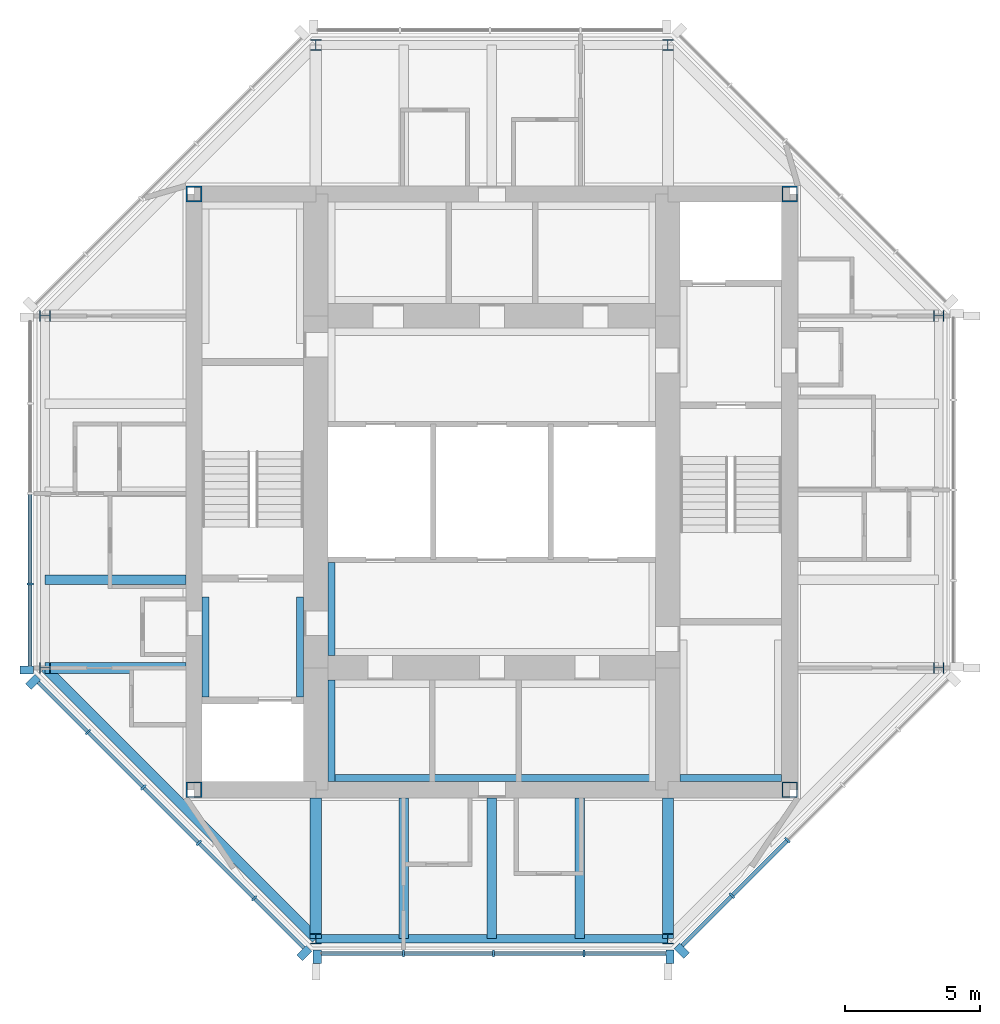
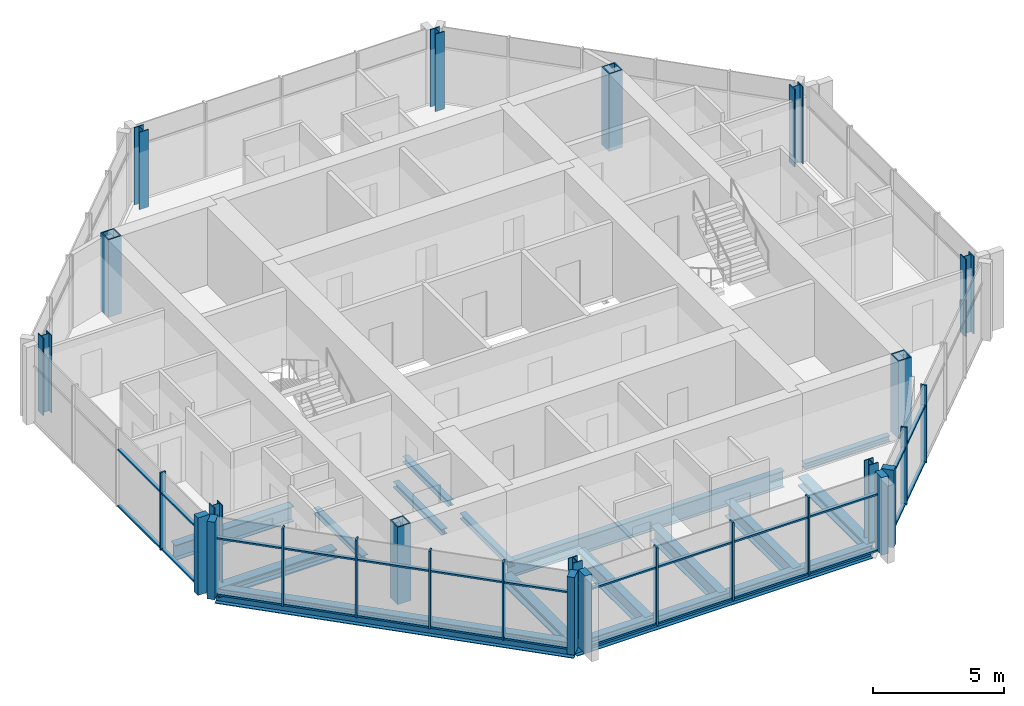
# One storey, part 1 of 9: 42 members, 15 beams, 12 columns, 4 elements without a shape of their own.
"""IFC4 building model written with IfcOpenShell, lengths in metres."""

from ifc_helpers import new_model, si_unit, direction, frame, origin, origin_2d, place, context, subcontext, project, spatial, rectangle, hollow_rectangle, i_section, extrude, material, material_profile, profile_set, type_object, element, aggregate, save


model = new_model("IFC4")

# Units and contexts
model_context = context("Model", 3, precision=1e-05, world=origin(), true_north=direction((0.0, 1.0)))
body_context = subcontext(model_context, "Body", "Model", "MODEL_VIEW")
ifc_project = project(units=[si_unit("LENGTHUNIT", "METRE"), si_unit("AREAUNIT", "SQUARE_METRE"), si_unit("VOLUMEUNIT", "CUBIC_METRE"), si_unit("PLANEANGLEUNIT", "RADIAN"), si_unit("MASSUNIT", "GRAM", prefix="KILO")], contexts=[model_context])

# Site, building, storey
site_placement = place(None, origin())
site = spatial("IfcSite", under=ifc_project, at=site_placement, CompositionType="ELEMENT")
building_placement = place(site_placement, origin())
building = spatial("IfcBuilding", under=site, at=building_placement, Name="Trevanion Tower", CompositionType="ELEMENT")
storey_placement = place(building_placement, frame((0.0, 0.0, 284.800048828125)))
storey = spatial("IfcBuildingStorey", under=building, at=storey_placement, Name="L70", CompositionType="ELEMENT", Elevation=284.800048828125)

# Columns
ifc_material_1 = material(Name="Steel ASTM A913 Grade 65", Category="steel")
ifc_material_profile_1 = material_profile(ifc_material_1, i_section(OverallWidth=0.4013671875, OverallDepth=0.398681640625, WebThickness=0.02490234375, FlangeThickness=0.03955078125, at=origin_2d()), Name="W14X211")
ifc_profile_set_1 = profile_set([ifc_material_profile_1], Name="Steel ASTM A913 Grade 65")
column_type_1 = type_object("IfcColumnType", Name="C6 W14X211", PredefinedType="COLUMN", material=ifc_profile_set_1)
for number, where, z_axis, x_axis, name in (
    (1, (-16.5, -6.5, 0.0), (0.0, 0.0, 1.0), (0.0, 1.0, 0.0), "C6 7/G L70"),
    (2, (-6.5, -16.5, 0.0), (0.0, 0.0, 1.0), (1.0, 0.0, 0.0), "C6 9/E L70"),
    (3, (6.5, -16.5, 0.0), (0.0, 0.0, 1.0), (1.0, 0.0, 0.0), "C6 11/E L70"),
    (4, (16.5, -6.5, 0.0), (0.0, 0.0, 1.0), (0.0, 1.0, 0.0), "C6 13/G L70"),
    (5, (16.5, 6.5, 0.0), (0.0, 0.0, 1.0), (0.0, 1.0, 0.0), "C6 13/J L70"),
    (6, (6.5, 16.5, 0.0), (0.0, 0.0, 1.0), (1.0, 0.0, 0.0), "C6 11/L L70"),
    (7, (-6.5, 16.5, 0.0), (0.0, 0.0, 1.0), (1.0, 0.0, 0.0), "C6 9/L L70"),
    (8, (-16.5, 6.5, 0.0), (0.0, 0.0, 1.0), (0.0, 1.0, 0.0), "C6 7/J L70"),
):
    element("IfcColumn", number, at=place(storey_placement, frame(where, z_axis=z_axis, x_axis=x_axis)), inside=storey, type_object=column_type_1, Name=name, PredefinedType="COLUMN", context=body_context, shape_type="SweptSolid", body=[
        extrude(i_section(OverallWidth=0.4013671875, OverallDepth=0.398681640625, WebThickness=0.02490234375, FlangeThickness=0.03955078125, at=origin_2d()), origin(), (0.0, 0.0, 1.0), 3.599853515625),
    ])
ifc_material_2 = material(Name="Steel ASTM A572 Grade 50", Category="steel")
ifc_material_profile_2 = material_profile(ifc_material_2, hollow_rectangle(XDim=0.584228515625, YDim=0.584228515625, WallThickness=0.05078125, at=origin_2d()), Name="BOX23X23X2")
ifc_profile_set_2 = profile_set([ifc_material_profile_2], Name="Steel ASTM A572 Grade 50")
column_type_2 = type_object("IfcColumnType", Name="CB1 BOX23X23X2", PredefinedType="COLUMN", material=ifc_profile_set_2)
for number, where, z_axis, x_axis, name in (
    (9, (11.0, 11.0, 0.0), (0.0, 0.0, 1.0), (1.0, 0.0, 0.0), "CB1 NE L70"),
    (10, (-11.0, 11.0, 0.0), (0.0, 0.0, 1.0), (1.0, 0.0, 0.0), "CB1 NW L70"),
    (11, (-11.0, -11.0, 0.0), (0.0, 0.0, 1.0), (1.0, 0.0, 0.0), "CB1 SW L70"),
    (12, (11.0, -11.0, 0.0), (0.0, 0.0, 1.0), (1.0, 0.0, 0.0), "CB1 SE L70"),
):
    element("IfcColumn", number, at=place(storey_placement, frame(where, z_axis=z_axis, x_axis=x_axis)), inside=storey, type_object=column_type_2, Name=name, PredefinedType="COLUMN", context=body_context, shape_type="SweptSolid", body=[
        extrude(hollow_rectangle(XDim=0.584228515625, YDim=0.584228515625, WallThickness=0.05078125, at=origin_2d()), origin(), (0.0, 0.0, 1.0), 3.599853515625),
    ])

# Beams
ifc_material_3 = material(Name="Steel ASTM A992 Grade 50", Category="steel")
ifc_material_profile_3 = material_profile(ifc_material_3, i_section(OverallWidth=0.355712890625, OverallDepth=0.700927734375, WebThickness=0.016845703125, FlangeThickness=0.02734375, at=origin_2d()), Name="W27X161")
ifc_profile_set_3 = profile_set([ifc_material_profile_3], Name="Steel ASTM A992 Grade 50")
beam_type_1 = type_object("IfcBeamType", Name="B15 W27X161", PredefinedType="BEAM", material=ifc_profile_set_3)
for number, where, z_axis, x_axis, name in (
    (13, (-11.300048828125, -3.25, -0.54052734375), (-1.0, 0.0, 0.0), (0.0, -1.0, 0.0), "B15 L70"),
    (14, (-3.25, -11.300048828125, -0.54052734375), (0.0, -1.0, 0.0), (1.0, 0.0, 0.0), "B15 L70"),
    (15, (0.0, -11.300048828125, -0.54052734375), (0.0, -1.0, 0.0), (1.0, 0.0, 0.0), "B15 L70"),
    (16, (3.25, -11.300048828125, -0.54052734375), (0.0, -1.0, 0.0), (1.0, 0.0, 0.0), "B15 L70"),
):
    element("IfcBeam", number, at=place(storey_placement, frame(where, z_axis=z_axis, x_axis=x_axis)), inside=storey, type_object=beam_type_1, Name=name, PredefinedType="BEAM", context=body_context, shape_type="SweptSolid", body=[
        extrude(i_section(OverallWidth=0.355712890625, OverallDepth=0.700927734375, WebThickness=0.016845703125, FlangeThickness=0.02734375, at=origin_2d()), origin(), (0.0, 0.0, 1.0), 5.199951171875),
    ])

# Curtain wall, member
ifc_material_4 = material(Name="Aluminium and glass", Category="aluminium")
curtain_wall_type = type_object("IfcCurtainWallType", Name="CW4 curtain wall", PredefinedType="USERDEFINED", material=ifc_material_4)
curtain_wall_1_placement = place(storey_placement, origin())
curtain_wall_1 = element("IfcCurtainWall", 17, at=curtain_wall_1_placement, inside=storey, type_object=curtain_wall_type, Name="CW4 L70 4", ObjectType="UNITISED CURTAIN WALL", PredefinedType="USERDEFINED")
ifc_material_5 = material(Name="Aluminium extrusion, anodised bronze", Category="aluminium")
ifc_material_profile_4 = material_profile(ifc_material_5, rectangle(XDim=0.074951171875, YDim=0.25, at=origin_2d()), Name="CW4 mullion")
ifc_profile_set_4 = profile_set([ifc_material_profile_4], Name="Aluminium extrusion, anodised bronze")
member_type_1 = type_object("IfcMemberType", Name="CW4 mullion", PredefinedType="MULLION", material=ifc_profile_set_4)
member_1_placement = place(storey_placement, frame((-17.050048828125, -3.396484375, -0.18994140625), z_axis=(0.0, 0.0, 1.0), x_axis=(0.0, -1.0, 0.0)))
member_1 = element("IfcMember", 18, at=member_1_placement, type_object=member_type_1, Name="CW4 mullion 4", PredefinedType="MULLION", context=body_context, shape_type="SweptSolid", body=[
    extrude(rectangle(XDim=0.074951171875, YDim=0.25, at=origin_2d()), origin(), (0.0, 0.0, 1.0), 3.599853515625),
])

# Curtain wall, members
curtain_wall_2_placement = place(storey_placement, origin())
curtain_wall_2 = element("IfcCurtainWall", 19, at=curtain_wall_2_placement, inside=storey, type_object=curtain_wall_type, Name="CW4 L70 5", ObjectType="UNITISED CURTAIN WALL", PredefinedType="USERDEFINED")
member_2_placement = place(storey_placement, frame((-14.912109375, -8.86572265625, -0.18994140625), z_axis=(0.0, 0.0, 1.0), x_axis=(0.707106781187, -0.707106781187, 0.0)))
member_2 = element("IfcMember", 20, at=member_2_placement, type_object=member_type_1, Name="CW4 mullion 2", PredefinedType="MULLION", context=body_context, shape_type="SweptSolid", body=[
    extrude(rectangle(XDim=0.074951171875, YDim=0.25, at=origin_2d()), origin(), (0.0, 0.0, 1.0), 3.599853515625),
])
member_3_placement = place(storey_placement, frame((-12.865966796875, -10.911865234375, -0.18994140625), z_axis=(0.0, 0.0, 1.0), x_axis=(0.707106781187, -0.707106781187, 0.0)))
member_3 = element("IfcMember", 21, at=member_3_placement, type_object=member_type_1, Name="CW4 mullion 3", PredefinedType="MULLION", context=body_context, shape_type="SweptSolid", body=[
    extrude(rectangle(XDim=0.074951171875, YDim=0.25, at=origin_2d()), origin(), (0.0, 0.0, 1.0), 3.599853515625),
])
member_4_placement = place(storey_placement, frame((-10.81982421875, -12.9580078125, -0.18994140625), z_axis=(0.0, 0.0, 1.0), x_axis=(0.707106781187, -0.707106781187, 0.0)))
member_4 = element("IfcMember", 22, at=member_4_placement, type_object=member_type_1, Name="CW4 mullion 4", PredefinedType="MULLION", context=body_context, shape_type="SweptSolid", body=[
    extrude(rectangle(XDim=0.074951171875, YDim=0.25, at=origin_2d()), origin(), (0.0, 0.0, 1.0), 3.599853515625),
])
member_5_placement = place(storey_placement, frame((-8.77392578125, -15.00390625, -0.18994140625), z_axis=(0.0, 0.0, 1.0), x_axis=(0.707106781187, -0.707106781187, 0.0)))
member_5 = element("IfcMember", 23, at=member_5_placement, type_object=member_type_1, Name="CW4 mullion 5", PredefinedType="MULLION", context=body_context, shape_type="SweptSolid", body=[
    extrude(rectangle(XDim=0.074951171875, YDim=0.25, at=origin_2d()), origin(), (0.0, 0.0, 1.0), 3.599853515625),
])

curtain_wall_3_placement = place(storey_placement, origin())
curtain_wall_3 = element("IfcCurtainWall", 24, at=curtain_wall_3_placement, inside=storey, type_object=curtain_wall_type, Name="CW4 L70 6", ObjectType="UNITISED CURTAIN WALL", PredefinedType="USERDEFINED")
member_6_placement = place(storey_placement, frame((-3.266357421875, -17.050048828125, -0.18994140625), z_axis=(0.0, 0.0, 1.0), x_axis=(1.0, 0.0, 0.0)))
member_6 = element("IfcMember", 25, at=member_6_placement, type_object=member_type_1, Name="CW4 mullion 2", PredefinedType="MULLION", context=body_context, shape_type="SweptSolid", body=[
    extrude(rectangle(XDim=0.074951171875, YDim=0.25, at=origin_2d()), origin(), (0.0, 0.0, 1.0), 3.599853515625),
])
member_7_placement = place(storey_placement, frame((0.06494140625, -17.050048828125, -0.18994140625), z_axis=(0.0, 0.0, 1.0), x_axis=(1.0, 0.0, 0.0)))
member_7 = element("IfcMember", 26, at=member_7_placement, type_object=member_type_1, Name="CW4 mullion 3", PredefinedType="MULLION", context=body_context, shape_type="SweptSolid", body=[
    extrude(rectangle(XDim=0.074951171875, YDim=0.25, at=origin_2d()), origin(), (0.0, 0.0, 1.0), 3.599853515625),
])
member_8_placement = place(storey_placement, frame((3.396484375, -17.050048828125, -0.18994140625), z_axis=(0.0, 0.0, 1.0), x_axis=(1.0, 0.0, 0.0)))
member_8 = element("IfcMember", 27, at=member_8_placement, type_object=member_type_1, Name="CW4 mullion 4", PredefinedType="MULLION", context=body_context, shape_type="SweptSolid", body=[
    extrude(rectangle(XDim=0.074951171875, YDim=0.25, at=origin_2d()), origin(), (0.0, 0.0, 1.0), 3.599853515625),
])

curtain_wall_4_placement = place(storey_placement, origin())
curtain_wall_4 = element("IfcCurtainWall", 28, at=curtain_wall_4_placement, inside=storey, type_object=curtain_wall_type, Name="CW4 L70 7", ObjectType="UNITISED CURTAIN WALL", PredefinedType="USERDEFINED")
member_9_placement = place(storey_placement, frame((8.86572265625, -14.912109375, -0.18994140625), z_axis=(0.0, 0.0, 1.0), x_axis=(0.707106781187, 0.707106781187, 0.0)))
member_9 = element("IfcMember", 29, at=member_9_placement, type_object=member_type_1, Name="CW4 mullion 2", PredefinedType="MULLION", context=body_context, shape_type="SweptSolid", body=[
    extrude(rectangle(XDim=0.074951171875, YDim=0.25, at=origin_2d()), origin(), (0.0, 0.0, 1.0), 3.599853515625),
])
member_10_placement = place(storey_placement, frame((10.911865234375, -12.865966796875, -0.18994140625), z_axis=(0.0, 0.0, 1.0), x_axis=(0.707106781187, 0.707106781187, 0.0)))
member_10 = element("IfcMember", 30, at=member_10_placement, type_object=member_type_1, Name="CW4 mullion 3", PredefinedType="MULLION", context=body_context, shape_type="SweptSolid", body=[
    extrude(rectangle(XDim=0.074951171875, YDim=0.25, at=origin_2d()), origin(), (0.0, 0.0, 1.0), 3.599853515625),
])

# Member
ifc_material_6 = material(Name="Aluminium extrusion, anodised bronze", Category="aluminium")
ifc_material_profile_5 = material_profile(ifc_material_6, rectangle(XDim=0.300048828125, YDim=0.5, at=origin_2d()), Name="CW4 pier mullion")
ifc_profile_set_5 = profile_set([ifc_material_profile_5], Name="Aluminium extrusion, anodised bronze")
member_type_2 = type_object("IfcMemberType", Name="CW4 pier mullion", PredefinedType="MULLION", material=ifc_profile_set_5)
member_11_placement = place(storey_placement, frame((-17.175048828125, -6.577880859375, -0.18994140625), z_axis=(0.0, 0.0, 1.0), x_axis=(0.0, -1.0, 0.0)))
member_11 = element("IfcMember", 31, at=member_11_placement, type_object=member_type_2, Name="CW4 pier mullion 5", PredefinedType="MULLION", context=body_context, shape_type="SweptSolid", body=[
    extrude(rectangle(XDim=0.300048828125, YDim=0.5, at=origin_2d()), origin(), (0.0, 0.0, 1.0), 3.599853515625),
])

member_12_placement = place(storey_placement, frame((-16.9404296875, -7.01416015625, -0.18994140625), z_axis=(0.0, 0.0, 1.0), x_axis=(0.707106781187, -0.707106781187, 0.0)))
member_12 = element("IfcMember", 32, at=member_12_placement, type_object=member_type_2, Name="CW4 pier mullion 1", PredefinedType="MULLION", context=body_context, shape_type="SweptSolid", body=[
    extrude(rectangle(XDim=0.300048828125, YDim=0.5, at=origin_2d()), origin(), (0.0, 0.0, 1.0), 3.599853515625),
])

member_13_placement = place(storey_placement, frame((-6.92236328125, -17.0322265625, -0.18994140625), z_axis=(0.0, 0.0, 1.0), x_axis=(0.707106781187, -0.707106781187, 0.0)))
member_13 = element("IfcMember", 33, at=member_13_placement, type_object=member_type_2, Name="CW4 pier mullion 6", PredefinedType="MULLION", context=body_context, shape_type="SweptSolid", body=[
    extrude(rectangle(XDim=0.300048828125, YDim=0.5, at=origin_2d()), origin(), (0.0, 0.0, 1.0), 3.599853515625),
])

member_14_placement = place(storey_placement, frame((-6.44775390625, -17.175048828125, -0.18994140625), z_axis=(0.0, 0.0, 1.0), x_axis=(1.0, 0.0, 0.0)))
member_14 = element("IfcMember", 34, at=member_14_placement, type_object=member_type_2, Name="CW4 pier mullion 1", PredefinedType="MULLION", context=body_context, shape_type="SweptSolid", body=[
    extrude(rectangle(XDim=0.300048828125, YDim=0.5, at=origin_2d()), origin(), (0.0, 0.0, 1.0), 3.599853515625),
])

member_15_placement = place(storey_placement, frame((6.577880859375, -17.175048828125, -0.18994140625), z_axis=(0.0, 0.0, 1.0), x_axis=(1.0, 0.0, 0.0)))
member_15 = element("IfcMember", 35, at=member_15_placement, type_object=member_type_2, Name="CW4 pier mullion 5", PredefinedType="MULLION", context=body_context, shape_type="SweptSolid", body=[
    extrude(rectangle(XDim=0.300048828125, YDim=0.5, at=origin_2d()), origin(), (0.0, 0.0, 1.0), 3.599853515625),
])

member_16_placement = place(storey_placement, frame((7.01416015625, -16.9404296875, -0.18994140625), z_axis=(0.0, 0.0, 1.0), x_axis=(0.707106781187, 0.707106781187, 0.0)))
member_16 = element("IfcMember", 36, at=member_16_placement, type_object=member_type_2, Name="CW4 pier mullion 1", PredefinedType="MULLION", context=body_context, shape_type="SweptSolid", body=[
    extrude(rectangle(XDim=0.300048828125, YDim=0.5, at=origin_2d()), origin(), (0.0, 0.0, 1.0), 3.599853515625),
])

ifc_material_7 = material(Name="Aluminium extrusion, anodised bronze", Category="aluminium")
ifc_material_profile_6 = material_profile(ifc_material_7, rectangle(XDim=0.14990234375, YDim=0.074951171875, at=origin_2d()), Name="CW4 transom")
ifc_profile_set_6 = profile_set([ifc_material_profile_6], Name="Aluminium extrusion, anodised bronze")
member_type_3 = type_object("IfcMemberType", Name="CW4 transom", PredefinedType="USERDEFINED", material=ifc_profile_set_6)
member_17_placement = place(storey_placement, frame((-17.050048828125, -0.1025390625, -0.152587890625), z_axis=(0.0, -1.0, 0.0), x_axis=(1.0, 0.0, 0.0)))
member_17 = element("IfcMember", 37, at=member_17_placement, type_object=member_type_3, Name="CW4 transom 3.1", ObjectType="TRANSOM", PredefinedType="USERDEFINED", context=body_context, shape_type="SweptSolid", body=[
    extrude(rectangle(XDim=0.14990234375, YDim=0.074951171875, at=origin_2d()), origin(), (0.0, 0.0, 1.0), 3.25634765625),
])

member_18_placement = place(storey_placement, frame((-17.050048828125, -0.1025390625, 2.4599609375), z_axis=(0.0, -1.0, 0.0), x_axis=(1.0, 0.0, 0.0)))
member_18 = element("IfcMember", 38, at=member_18_placement, type_object=member_type_3, Name="CW4 transom 3.2", ObjectType="TRANSOM", PredefinedType="USERDEFINED", context=body_context, shape_type="SweptSolid", body=[
    extrude(rectangle(XDim=0.14990234375, YDim=0.074951171875, at=origin_2d()), origin(), (0.0, 0.0, 1.0), 3.25634765625),
])

member_19_placement = place(storey_placement, frame((-17.050048828125, -3.433837890625, -0.152587890625), z_axis=(0.0, -1.0, 0.0), x_axis=(1.0, 0.0, 0.0)))
member_19 = element("IfcMember", 39, at=member_19_placement, type_object=member_type_3, Name="CW4 transom 4.1", ObjectType="TRANSOM", PredefinedType="USERDEFINED", context=body_context, shape_type="SweptSolid", body=[
    extrude(rectangle(XDim=0.14990234375, YDim=0.074951171875, at=origin_2d()), origin(), (0.0, 0.0, 1.0), 2.993896484375),
])

member_20_placement = place(storey_placement, frame((-17.050048828125, -3.433837890625, 2.4599609375), z_axis=(0.0, -1.0, 0.0), x_axis=(1.0, 0.0, 0.0)))
member_20 = element("IfcMember", 40, at=member_20_placement, type_object=member_type_3, Name="CW4 transom 4.2", ObjectType="TRANSOM", PredefinedType="USERDEFINED", context=body_context, shape_type="SweptSolid", body=[
    extrude(rectangle(XDim=0.14990234375, YDim=0.074951171875, at=origin_2d()), origin(), (0.0, 0.0, 1.0), 2.993896484375),
])

aggregate(curtain_wall_1, [member_1, member_11, member_17, member_18, member_19, member_20])

member_21_placement = place(storey_placement, frame((-16.745849609375, -7.031982421875, -0.152587890625), z_axis=(0.707106781187, -0.707106781187, 0.0), x_axis=(0.707106781187, 0.707106781187, 0.0)))
member_21 = element("IfcMember", 41, at=member_21_placement, type_object=member_type_3, Name="CW4 transom 1.1", ObjectType="TRANSOM", PredefinedType="USERDEFINED", context=body_context, shape_type="SweptSolid", body=[
    extrude(rectangle(XDim=0.14990234375, YDim=0.074951171875, at=origin_2d()), origin(), (0.0, 0.0, 1.0), 2.555908203125),
])

member_22_placement = place(storey_placement, frame((-16.745849609375, -7.031982421875, 2.4599609375), z_axis=(0.707106781187, -0.707106781187, 0.0), x_axis=(0.707106781187, 0.707106781187, 0.0)))
member_22 = element("IfcMember", 42, at=member_22_placement, type_object=member_type_3, Name="CW4 transom 1.2", ObjectType="TRANSOM", PredefinedType="USERDEFINED", context=body_context, shape_type="SweptSolid", body=[
    extrude(rectangle(XDim=0.14990234375, YDim=0.074951171875, at=origin_2d()), origin(), (0.0, 0.0, 1.0), 2.555908203125),
])

member_23_placement = place(storey_placement, frame((-14.885498046875, -8.892333984375, -0.152587890625), z_axis=(0.707106781187, -0.707106781187, 0.0), x_axis=(0.707106781187, 0.707106781187, 0.0)))
member_23 = element("IfcMember", 43, at=member_23_placement, type_object=member_type_3, Name="CW4 transom 2.1", ObjectType="TRANSOM", PredefinedType="USERDEFINED", context=body_context, shape_type="SweptSolid", body=[
    extrude(rectangle(XDim=0.14990234375, YDim=0.074951171875, at=origin_2d()), origin(), (0.0, 0.0, 1.0), 2.818359375),
])

member_24_placement = place(storey_placement, frame((-14.885498046875, -8.892333984375, 2.4599609375), z_axis=(0.707106781187, -0.707106781187, 0.0), x_axis=(0.707106781187, 0.707106781187, 0.0)))
member_24 = element("IfcMember", 44, at=member_24_placement, type_object=member_type_3, Name="CW4 transom 2.2", ObjectType="TRANSOM", PredefinedType="USERDEFINED", context=body_context, shape_type="SweptSolid", body=[
    extrude(rectangle(XDim=0.14990234375, YDim=0.074951171875, at=origin_2d()), origin(), (0.0, 0.0, 1.0), 2.818359375),
])

member_25_placement = place(storey_placement, frame((-12.839599609375, -10.9384765625, -0.152587890625), z_axis=(0.707150088905, -0.707063470815, 0.0), x_axis=(0.707063470815, 0.707150088905, 0.0)))
member_25 = element("IfcMember", 45, at=member_25_placement, type_object=member_type_3, Name="CW4 transom 3.1", ObjectType="TRANSOM", PredefinedType="USERDEFINED", context=body_context, shape_type="SweptSolid", body=[
    extrude(rectangle(XDim=0.14990234375, YDim=0.074951171875, at=origin_2d()), origin(), (0.0, 0.0, 1.0), 2.818603515625),
])

member_26_placement = place(storey_placement, frame((-12.839599609375, -10.9384765625, 2.4599609375), z_axis=(0.707150088905, -0.707063470815, 0.0), x_axis=(0.707063470815, 0.707150088905, 0.0)))
member_26 = element("IfcMember", 46, at=member_26_placement, type_object=member_type_3, Name="CW4 transom 3.2", ObjectType="TRANSOM", PredefinedType="USERDEFINED", context=body_context, shape_type="SweptSolid", body=[
    extrude(rectangle(XDim=0.14990234375, YDim=0.074951171875, at=origin_2d()), origin(), (0.0, 0.0, 1.0), 2.818603515625),
])

member_27_placement = place(storey_placement, frame((-10.79345703125, -12.984375, -0.152587890625), z_axis=(0.707150088905, -0.707063470815, 0.0), x_axis=(0.707063470815, 0.707150088905, 0.0)))
member_27 = element("IfcMember", 47, at=member_27_placement, type_object=member_type_3, Name="CW4 transom 4.1", ObjectType="TRANSOM", PredefinedType="USERDEFINED", context=body_context, shape_type="SweptSolid", body=[
    extrude(rectangle(XDim=0.14990234375, YDim=0.074951171875, at=origin_2d()), origin(), (0.0, 0.0, 1.0), 2.818603515625),
])

member_28_placement = place(storey_placement, frame((-10.79345703125, -12.984375, 2.4599609375), z_axis=(0.707150088905, -0.707063470815, 0.0), x_axis=(0.707063470815, 0.707150088905, 0.0)))
member_28 = element("IfcMember", 48, at=member_28_placement, type_object=member_type_3, Name="CW4 transom 4.2", ObjectType="TRANSOM", PredefinedType="USERDEFINED", context=body_context, shape_type="SweptSolid", body=[
    extrude(rectangle(XDim=0.14990234375, YDim=0.074951171875, at=origin_2d()), origin(), (0.0, 0.0, 1.0), 2.818603515625),
])

member_29_placement = place(storey_placement, frame((-8.747314453125, -15.030517578125, -0.152587890625), z_axis=(0.707106781187, -0.707106781187, 0.0), x_axis=(0.707106781187, 0.707106781187, 0.0)))
member_29 = element("IfcMember", 49, at=member_29_placement, type_object=member_type_3, Name="CW4 transom 5.1", ObjectType="TRANSOM", PredefinedType="USERDEFINED", context=body_context, shape_type="SweptSolid", body=[
    extrude(rectangle(XDim=0.14990234375, YDim=0.074951171875, at=origin_2d()), origin(), (0.0, 0.0, 1.0), 2.555908203125),
])

member_30_placement = place(storey_placement, frame((-8.747314453125, -15.030517578125, 2.4599609375), z_axis=(0.707106781187, -0.707106781187, 0.0), x_axis=(0.707106781187, 0.707106781187, 0.0)))
member_30 = element("IfcMember", 50, at=member_30_placement, type_object=member_type_3, Name="CW4 transom 5.2", ObjectType="TRANSOM", PredefinedType="USERDEFINED", context=body_context, shape_type="SweptSolid", body=[
    extrude(rectangle(XDim=0.14990234375, YDim=0.074951171875, at=origin_2d()), origin(), (0.0, 0.0, 1.0), 2.555908203125),
])

aggregate(curtain_wall_2, [member_12, member_2, member_3, member_4, member_5, member_13, member_21, member_22, member_23, member_24, member_25, member_26, member_27, member_28, member_29, member_30])

member_31_placement = place(storey_placement, frame((-6.2978515625, -17.050048828125, -0.152587890625), z_axis=(1.0, 0.0, 0.0), x_axis=(0.0, 1.0, 0.0)))
member_31 = element("IfcMember", 51, at=member_31_placement, type_object=member_type_3, Name="CW4 transom 1.1", ObjectType="TRANSOM", PredefinedType="USERDEFINED", context=body_context, shape_type="SweptSolid", body=[
    extrude(rectangle(XDim=0.14990234375, YDim=0.074951171875, at=origin_2d()), origin(), (0.0, 0.0, 1.0), 2.993896484375),
])

member_32_placement = place(storey_placement, frame((-6.2978515625, -17.050048828125, 2.4599609375), z_axis=(1.0, 0.0, 0.0), x_axis=(0.0, 1.0, 0.0)))
member_32 = element("IfcMember", 52, at=member_32_placement, type_object=member_type_3, Name="CW4 transom 1.2", ObjectType="TRANSOM", PredefinedType="USERDEFINED", context=body_context, shape_type="SweptSolid", body=[
    extrude(rectangle(XDim=0.14990234375, YDim=0.074951171875, at=origin_2d()), origin(), (0.0, 0.0, 1.0), 2.993896484375),
])

member_33_placement = place(storey_placement, frame((-3.22900390625, -17.050048828125, -0.152587890625), z_axis=(1.0, 0.0, 0.0), x_axis=(0.0, 1.0, 0.0)))
member_33 = element("IfcMember", 53, at=member_33_placement, type_object=member_type_3, Name="CW4 transom 2.1", ObjectType="TRANSOM", PredefinedType="USERDEFINED", context=body_context, shape_type="SweptSolid", body=[
    extrude(rectangle(XDim=0.14990234375, YDim=0.074951171875, at=origin_2d()), origin(), (0.0, 0.0, 1.0), 3.256591796875),
])

member_34_placement = place(storey_placement, frame((-3.22900390625, -17.050048828125, 2.4599609375), z_axis=(1.0, 0.0, 0.0), x_axis=(0.0, 1.0, 0.0)))
member_34 = element("IfcMember", 54, at=member_34_placement, type_object=member_type_3, Name="CW4 transom 2.2", ObjectType="TRANSOM", PredefinedType="USERDEFINED", context=body_context, shape_type="SweptSolid", body=[
    extrude(rectangle(XDim=0.14990234375, YDim=0.074951171875, at=origin_2d()), origin(), (0.0, 0.0, 1.0), 3.256591796875),
])

member_35_placement = place(storey_placement, frame((0.1025390625, -17.050048828125, -0.152587890625), z_axis=(1.0, 0.0, 0.0), x_axis=(0.0, 1.0, 0.0)))
member_35 = element("IfcMember", 55, at=member_35_placement, type_object=member_type_3, Name="CW4 transom 3.1", ObjectType="TRANSOM", PredefinedType="USERDEFINED", context=body_context, shape_type="SweptSolid", body=[
    extrude(rectangle(XDim=0.14990234375, YDim=0.074951171875, at=origin_2d()), origin(), (0.0, 0.0, 1.0), 3.25634765625),
])

member_36_placement = place(storey_placement, frame((0.1025390625, -17.050048828125, 2.4599609375), z_axis=(1.0, 0.0, 0.0), x_axis=(0.0, 1.0, 0.0)))
member_36 = element("IfcMember", 56, at=member_36_placement, type_object=member_type_3, Name="CW4 transom 3.2", ObjectType="TRANSOM", PredefinedType="USERDEFINED", context=body_context, shape_type="SweptSolid", body=[
    extrude(rectangle(XDim=0.14990234375, YDim=0.074951171875, at=origin_2d()), origin(), (0.0, 0.0, 1.0), 3.25634765625),
])

member_37_placement = place(storey_placement, frame((3.433837890625, -17.050048828125, -0.152587890625), z_axis=(1.0, 0.0, 0.0), x_axis=(0.0, 1.0, 0.0)))
member_37 = element("IfcMember", 57, at=member_37_placement, type_object=member_type_3, Name="CW4 transom 4.1", ObjectType="TRANSOM", PredefinedType="USERDEFINED", context=body_context, shape_type="SweptSolid", body=[
    extrude(rectangle(XDim=0.14990234375, YDim=0.074951171875, at=origin_2d()), origin(), (0.0, 0.0, 1.0), 2.993896484375),
])

member_38_placement = place(storey_placement, frame((3.433837890625, -17.050048828125, 2.4599609375), z_axis=(1.0, 0.0, 0.0), x_axis=(0.0, 1.0, 0.0)))
member_38 = element("IfcMember", 58, at=member_38_placement, type_object=member_type_3, Name="CW4 transom 4.2", ObjectType="TRANSOM", PredefinedType="USERDEFINED", context=body_context, shape_type="SweptSolid", body=[
    extrude(rectangle(XDim=0.14990234375, YDim=0.074951171875, at=origin_2d()), origin(), (0.0, 0.0, 1.0), 2.993896484375),
])

aggregate(curtain_wall_3, [member_14, member_6, member_7, member_8, member_15, member_31, member_32, member_33, member_34, member_35, member_36, member_37, member_38])

member_39_placement = place(storey_placement, frame((7.031982421875, -16.745849609375, -0.152587890625), z_axis=(0.707106781187, 0.707106781187, 0.0), x_axis=(-0.707106781187, 0.707106781187, 0.0)))
member_39 = element("IfcMember", 59, at=member_39_placement, type_object=member_type_3, Name="CW4 transom 1.1", ObjectType="TRANSOM", PredefinedType="USERDEFINED", context=body_context, shape_type="SweptSolid", body=[
    extrude(rectangle(XDim=0.14990234375, YDim=0.074951171875, at=origin_2d()), origin(), (0.0, 0.0, 1.0), 2.555908203125),
])

member_40_placement = place(storey_placement, frame((7.031982421875, -16.745849609375, 2.4599609375), z_axis=(0.707106781187, 0.707106781187, 0.0), x_axis=(-0.707106781187, 0.707106781187, 0.0)))
member_40 = element("IfcMember", 60, at=member_40_placement, type_object=member_type_3, Name="CW4 transom 1.2", ObjectType="TRANSOM", PredefinedType="USERDEFINED", context=body_context, shape_type="SweptSolid", body=[
    extrude(rectangle(XDim=0.14990234375, YDim=0.074951171875, at=origin_2d()), origin(), (0.0, 0.0, 1.0), 2.555908203125),
])

member_41_placement = place(storey_placement, frame((8.892333984375, -14.885498046875, -0.152587890625), z_axis=(0.707106781187, 0.707106781187, 0.0), x_axis=(-0.707106781187, 0.707106781187, 0.0)))
member_41 = element("IfcMember", 61, at=member_41_placement, type_object=member_type_3, Name="CW4 transom 2.1", ObjectType="TRANSOM", PredefinedType="USERDEFINED", context=body_context, shape_type="SweptSolid", body=[
    extrude(rectangle(XDim=0.14990234375, YDim=0.074951171875, at=origin_2d()), origin(), (0.0, 0.0, 1.0), 2.818359375),
])

member_42_placement = place(storey_placement, frame((8.892333984375, -14.885498046875, 2.4599609375), z_axis=(0.707106781187, 0.707106781187, 0.0), x_axis=(-0.707106781187, 0.707106781187, 0.0)))
member_42 = element("IfcMember", 62, at=member_42_placement, type_object=member_type_3, Name="CW4 transom 2.2", ObjectType="TRANSOM", PredefinedType="USERDEFINED", context=body_context, shape_type="SweptSolid", body=[
    extrude(rectangle(XDim=0.14990234375, YDim=0.074951171875, at=origin_2d()), origin(), (0.0, 0.0, 1.0), 2.818359375),
])

aggregate(curtain_wall_4, [member_16, member_9, member_10, member_39, member_40, member_41, member_42])

# Beams
ifc_material_8 = material(Name="Steel ASTM A992 Grade 50", Category="steel")
ifc_material_profile_7 = material_profile(ifc_material_8, i_section(OverallWidth=0.41650390625, OverallDepth=0.444580078125, WebThickness=0.0390625, FlangeThickness=0.062744140625, at=origin_2d()), Name="W14X342")
ifc_profile_set_7 = profile_set([ifc_material_profile_7], Name="Steel ASTM A992 Grade 50")
beam_type_2 = type_object("IfcBeamType", Name="G8 W14X342", PredefinedType="BEAM", material=ifc_profile_set_7)
for number, where, z_axis, x_axis, name in (
    (63, (-11.300048828125, -6.5, -0.412353515625), (-1.0, 0.0, 0.0), (0.0, -1.0, 0.0), "G8 L70"),
    (64, (-6.5, -11.300048828125, -0.412353515625), (0.0, -1.0, 0.0), (1.0, 0.0, 0.0), "G8 L70"),
    (65, (6.5, -11.300048828125, -0.412353515625), (0.0, -1.0, 0.0), (1.0, 0.0, 0.0), "G8 L70"),
):
    element("IfcBeam", number, at=place(storey_placement, frame(where, z_axis=z_axis, x_axis=x_axis)), inside=storey, type_object=beam_type_2, Name=name, PredefinedType="BEAM", context=body_context, shape_type="SweptSolid", body=[
        extrude(i_section(OverallWidth=0.41650390625, OverallDepth=0.444580078125, WebThickness=0.0390625, FlangeThickness=0.062744140625, at=origin_2d()), origin(), (0.0, 0.0, 1.0), 5.199951171875),
    ])
ifc_material_9 = material(Name="Steel ASTM A992 Grade 50", Category="steel")
ifc_material_profile_8 = material_profile(ifc_material_9, i_section(OverallWidth=0.256591796875, OverallDepth=0.26416015625, WebThickness=0.011962890625, FlangeThickness=0.01953125, at=origin_2d()), Name="W10X68")
ifc_profile_set_8 = profile_set([ifc_material_profile_8], Name="Steel ASTM A992 Grade 50")
beam_type_3 = type_object("IfcBeamType", Name="LB1 W10X68", PredefinedType="BEAM", material=ifc_profile_set_8)
beam_1_placement = place(storey_placement, frame((-5.921630859375, -6.050048828125, -0.33203125), z_axis=(0.0, 1.0, 0.0), x_axis=(-1.0, 0.0, 0.0)))
element("IfcBeam", 66, at=beam_1_placement, inside=storey, type_object=beam_type_3, Name="LB1 L70", PredefinedType="BEAM", context=body_context, shape_type="SweptSolid", body=[
    extrude(i_section(OverallWidth=0.256591796875, OverallDepth=0.26416015625, WebThickness=0.011962890625, FlangeThickness=0.01953125, at=origin_2d()), origin(), (0.0, 0.0, 1.0), 3.449951171875),
])
for number, where, z_axis, x_axis, name in (
    (67, (-10.57177734375, -7.574951171875, -0.33203125), (0.0, 1.0, 0.0), (-1.0, 0.0, 0.0), "LB1 L70"),
    (68, (-7.078369140625, -7.574951171875, -0.33203125), (0.0, 1.0, 0.0), (-1.0, 0.0, 0.0), "LB1 L70"),
):
    element("IfcBeam", number, at=place(storey_placement, frame(where, z_axis=z_axis, x_axis=x_axis)), inside=storey, type_object=beam_type_3, Name=name, PredefinedType="BEAM", context=body_context, shape_type="SweptSolid", body=[
        extrude(i_section(OverallWidth=0.256591796875, OverallDepth=0.26416015625, WebThickness=0.011962890625, FlangeThickness=0.01953125, at=origin_2d()), origin(), (0.0, 0.0, 1.0), 3.699951171875),
    ])
for number, where, z_axis, x_axis, name in (
    (69, (6.949951171875, -10.57177734375, -0.33203125), (1.0, 0.0, 0.0), (0.0, 1.0, 0.0), "LB1 L70"),
    (70, (-5.921630859375, -10.699951171875, -0.33203125), (0.0, 1.0, 0.0), (-1.0, 0.0, 0.0), "LB1 L70"),
):
    element("IfcBeam", number, at=place(storey_placement, frame(where, z_axis=z_axis, x_axis=x_axis)), inside=storey, type_object=beam_type_3, Name=name, PredefinedType="BEAM", context=body_context, shape_type="SweptSolid", body=[
        extrude(i_section(OverallWidth=0.256591796875, OverallDepth=0.26416015625, WebThickness=0.011962890625, FlangeThickness=0.01953125, at=origin_2d()), origin(), (0.0, 0.0, 1.0), 3.75),
    ])
ifc_material_10 = material(Name="Steel ASTM A992 Grade 50", Category="steel")
ifc_material_profile_9 = material_profile(ifc_material_10, i_section(OverallWidth=0.2666015625, OverallDepth=0.76953125, WebThickness=0.015625, FlangeThickness=0.025390625, at=origin_2d()), Name="W30X132")
ifc_profile_set_9 = profile_set([ifc_material_profile_9], Name="Steel ASTM A992 Grade 50")
beam_type_4 = type_object("IfcBeamType", Name="LB3 W30X132", PredefinedType="BEAM", material=ifc_profile_set_9)
beam_2_placement = place(storey_placement, frame((-6.050048828125, -10.566650390625, -0.5849609375), z_axis=(1.0, 0.0, 0.0), x_axis=(0.0, 1.0, 0.0)))
element("IfcBeam", 71, at=beam_2_placement, inside=storey, type_object=beam_type_4, Name="LB3 L70", PredefinedType="BEAM", context=body_context, shape_type="SweptSolid", body=[
    extrude(i_section(OverallWidth=0.2666015625, OverallDepth=0.76953125, WebThickness=0.015625, FlangeThickness=0.025390625, at=origin_2d()), origin(), (0.0, 0.0, 1.0), 12.10009765625),
])
ifc_material_11 = material(Name="Steel ASTM A992 Grade 50", Category="steel")
ifc_material_profile_10 = material_profile(ifc_material_11, i_section(OverallWidth=0.32763671875, OverallDepth=0.622314453125, WebThickness=0.015380859375, FlangeThickness=0.0244140625, at=origin_2d()), Name="W24X131")
ifc_profile_set_10 = profile_set([ifc_material_profile_10], Name="Steel ASTM A992 Grade 50")
beam_type_5 = type_object("IfcBeamType", Name="SB12 W24X131", PredefinedType="SPANDREL", material=ifc_profile_set_10)
beam_3_placement = place(storey_placement, frame((-6.5, -16.5, -0.501220703125), z_axis=(1.0, 0.0, 0.0), x_axis=(0.0, 1.0, 0.0)))
element("IfcBeam", 72, at=beam_3_placement, inside=storey, type_object=beam_type_5, Name="SB12 L70", PredefinedType="SPANDREL", context=body_context, shape_type="SweptSolid", body=[
    extrude(i_section(OverallWidth=0.32763671875, OverallDepth=0.622314453125, WebThickness=0.015380859375, FlangeThickness=0.0244140625, at=origin_2d()), origin(), (0.0, 0.0, 1.0), 13.0),
])
ifc_material_12 = material(Name="Steel ASTM A992 Grade 50", Category="steel")
ifc_material_profile_11 = material_profile(ifc_material_12, i_section(OverallWidth=0.358154296875, OverallDepth=0.7060546875, WebThickness=0.018310546875, FlangeThickness=0.0302734375, at=origin_2d()), Name="W27X178")
ifc_profile_set_11 = profile_set([ifc_material_profile_11], Name="Steel ASTM A992 Grade 50")
beam_type_6 = type_object("IfcBeamType", Name="SB13 W27X178", PredefinedType="SPANDREL", material=ifc_profile_set_11)
beam_4_placement = place(storey_placement, frame((-16.5, -6.5, -0.543212890625), z_axis=(0.707106781187, -0.707106781187, 0.0), x_axis=(0.707106781187, 0.707106781187, 0.0)))
element("IfcBeam", 73, at=beam_4_placement, inside=storey, type_object=beam_type_6, Name="SB13 L70", PredefinedType="SPANDREL", context=body_context, shape_type="SweptSolid", body=[
    extrude(i_section(OverallWidth=0.358154296875, OverallDepth=0.7060546875, WebThickness=0.018310546875, FlangeThickness=0.0302734375, at=origin_2d()), origin(), (0.0, 0.0, 1.0), 14.14208984375),
])

save(model, "model.ifc")
